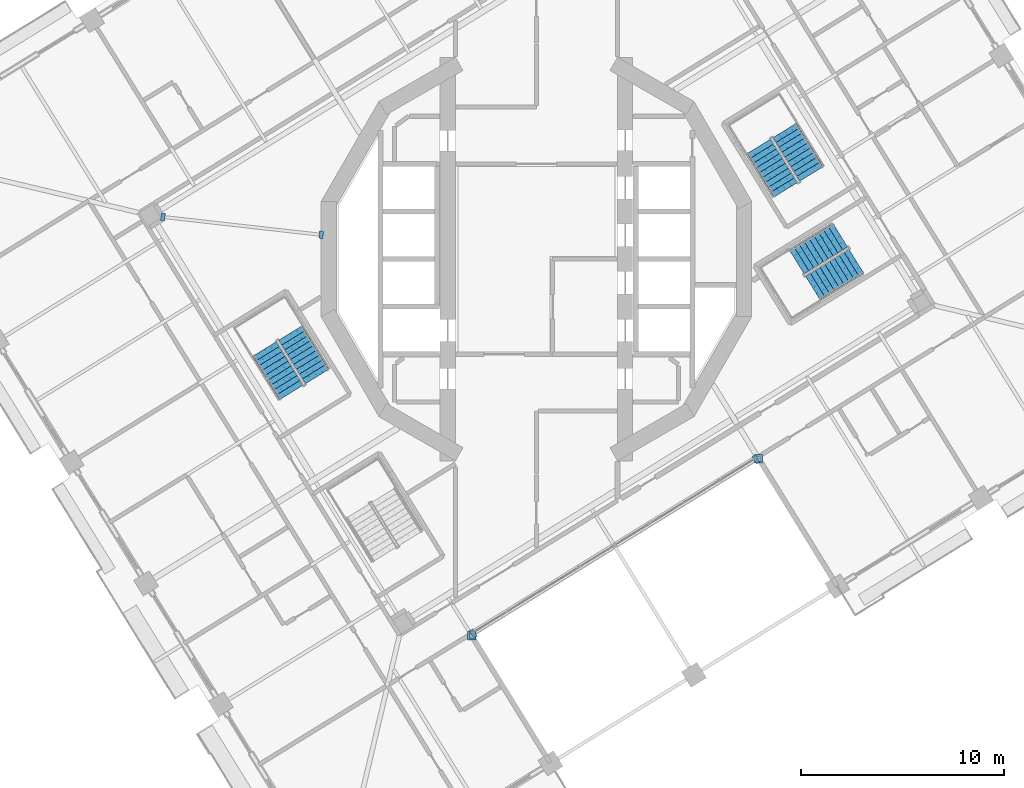
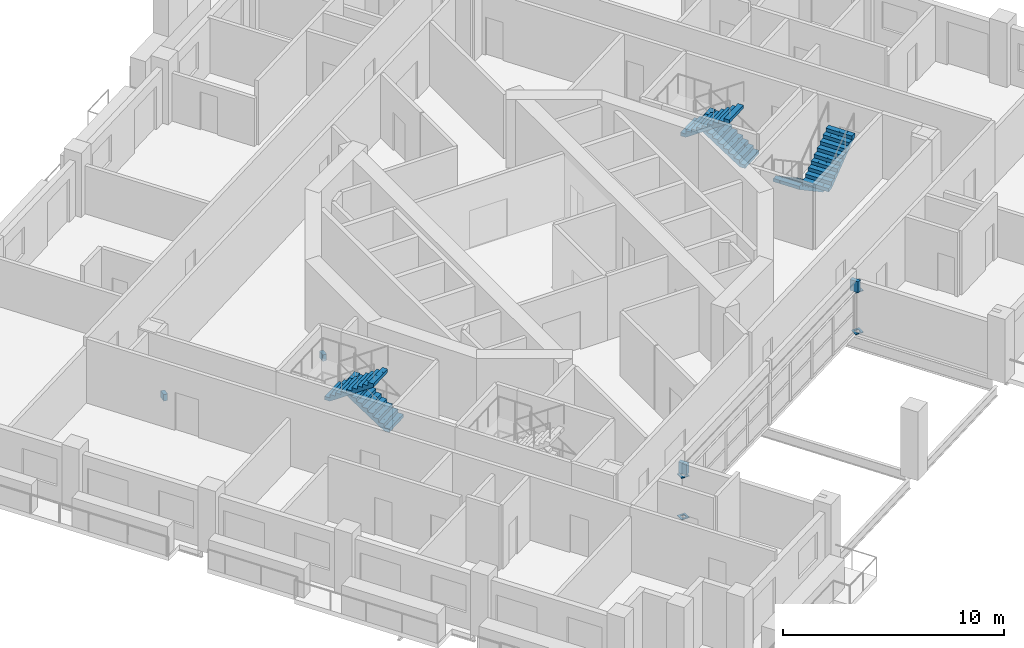
# One storey, part 15 of 22: 8 discrete accessories, 6 stair flights, 3 elements without a shape of their own.
"""IFC4 building model written with IfcOpenShell, lengths in metres."""

from ifc_helpers import new_model, si_unit, direction, frame, origin, place, context, subcontext, project, spatial, polyline, outline, extrude, material, layer, layer_set, type_object, element, aggregate, save


model = new_model("IFC4")

# Units and contexts
model_context = context("Model", 3, precision=1e-05, world=origin(), true_north=direction((0.0, 1.0)))
body_context = subcontext(model_context, "Body", "Model", "MODEL_VIEW")
ifc_project = project(units=[si_unit("LENGTHUNIT", "METRE"), si_unit("AREAUNIT", "SQUARE_METRE"), si_unit("VOLUMEUNIT", "CUBIC_METRE"), si_unit("PLANEANGLEUNIT", "RADIAN"), si_unit("MASSUNIT", "GRAM", prefix="KILO")], contexts=[model_context])

# Site, building, storey
site_placement = place(None, origin())
site = spatial("IfcSite", under=ifc_project, at=site_placement, CompositionType="ELEMENT")
building_placement = place(site_placement, origin())
building = spatial("IfcBuilding", under=site, at=building_placement, Name="Cantera Rosa Tower", CompositionType="ELEMENT")
storey_placement = place(building_placement, frame((0.0, 0.0, 174.199951171875)))
storey = spatial("IfcBuildingStorey", under=building, at=storey_placement, Name="L38", CompositionType="ELEMENT", Elevation=174.199951171875)

# Stair, stair flights
ifc_material_1 = material(Name="Concrete C35/45", Category="concrete")
stair_type = type_object("IfcStairType", Name="EXIT STAIR 1350 DOGLEG", PredefinedType="HALF_TURN_STAIR", material=ifc_material_1)
stair_1_placement = place(storey_placement, origin())
stair_1 = element("IfcStair", 1, at=stair_1_placement, inside=storey, type_object=stair_type, Name="L38 ST-31", PredefinedType="HALF_TURN_STAIR")
ifc_material_2 = material(Name="Concrete C35/45", Category="concrete")
stair_flight_type = type_object("IfcStairFlightType", Name="STAIR FLIGHT 1350 R20x190", PredefinedType="STRAIGHT", material=ifc_material_2)
stair_flight_1_placement = place(storey_placement, frame((13.5732421875, 4.2021484375, 0.0), z_axis=(0.0, 0.0, 1.0), x_axis=(-0.524976585286, 0.851116669383, 0.0)))
stair_flight_1 = element("IfcStairFlight", 2, at=stair_flight_1_placement, type_object=stair_flight_type, Name="ST-31 flight 1", NumberOfRisers=10, NumberOfTreads=9, PredefinedType="STRAIGHT", RiserHeight=0.19, TreadLength=0.28, context=body_context, shape_type="SweptSolid", body=[
    extrude(outline(polyline([(0.0, 0.0), (0.0, 0.18994140625), (0.280029296875, 0.18994140625), (0.280029296875, 0.3798828125), (0.56005859375, 0.3798828125), (0.56005859375, 0.570068359375), (0.840087890625, 0.570068359375), (0.840087890625, 0.760009765625), (1.1201171875, 0.760009765625), (1.1201171875, 0.949951171875), (1.39990234375, 0.949951171875), (1.39990234375, 1.139892578125), (1.679931640625, 1.139892578125), (1.679931640625, 1.330078125), (1.9599609375, 1.330078125), (1.9599609375, 1.52001953125), (2.239990234375, 1.52001953125), (2.239990234375, 1.7099609375), (2.52001953125, 1.7099609375), (2.52001953125, 1.89990234375), (2.52001953125, 1.52880859375), (0.266845703125, 0.0), (0.0, 0.0)])), frame((0.0, 0.675048828125, 0.0), z_axis=(0.0, -1.0, 0.0), x_axis=(1.0, 0.0, 0.0)), (0.0, 0.0, 1.0), 0.3359375),
    extrude(outline(polyline([(0.0, 0.0), (0.0, 0.18994140625), (0.280029296875, 0.18994140625), (0.280029296875, 0.3798828125), (0.56005859375, 0.3798828125), (0.56005859375, 0.570068359375), (0.840087890625, 0.570068359375), (0.840087890625, 0.760009765625), (1.1201171875, 0.760009765625), (1.1201171875, 0.949951171875), (1.39990234375, 0.949951171875), (1.39990234375, 1.139892578125), (1.679931640625, 1.139892578125), (1.679931640625, 1.330078125), (1.9599609375, 1.330078125), (1.9599609375, 1.52001953125), (2.239990234375, 1.52001953125), (2.239990234375, 1.7099609375), (2.52001953125, 1.7099609375), (2.52001953125, 1.89990234375), (2.52001953125, 1.52880859375), (0.266845703125, 0.0), (0.0, 0.0)])), frame((0.0, 0.337158203125, 0.0), z_axis=(0.0, -1.0, 0.0), x_axis=(1.0, 0.0, 0.0)), (0.0, 0.0, 1.0), 0.3359375),
    extrude(outline(polyline([(0.0, 0.0), (0.0, 0.18994140625), (0.280029296875, 0.18994140625), (0.280029296875, 0.3798828125), (0.56005859375, 0.3798828125), (0.56005859375, 0.570068359375), (0.840087890625, 0.570068359375), (0.840087890625, 0.760009765625), (1.1201171875, 0.760009765625), (1.1201171875, 0.949951171875), (1.39990234375, 0.949951171875), (1.39990234375, 1.139892578125), (1.679931640625, 1.139892578125), (1.679931640625, 1.330078125), (1.9599609375, 1.330078125), (1.9599609375, 1.52001953125), (2.239990234375, 1.52001953125), (2.239990234375, 1.7099609375), (2.52001953125, 1.7099609375), (2.52001953125, 1.89990234375), (2.52001953125, 1.52880859375), (0.266845703125, 0.0), (0.0, 0.0)])), frame((0.0, -0.000732421875, 0.0), z_axis=(0.0, -1.0, 0.0), x_axis=(1.0, 0.0, 0.0)), (0.0, 0.0, 1.0), 0.3359375),
    extrude(outline(polyline([(0.0, 0.0), (0.0, 0.18994140625), (0.280029296875, 0.18994140625), (0.280029296875, 0.3798828125), (0.56005859375, 0.3798828125), (0.56005859375, 0.570068359375), (0.840087890625, 0.570068359375), (0.840087890625, 0.760009765625), (1.1201171875, 0.760009765625), (1.1201171875, 0.949951171875), (1.39990234375, 0.949951171875), (1.39990234375, 1.139892578125), (1.679931640625, 1.139892578125), (1.679931640625, 1.330078125), (1.9599609375, 1.330078125), (1.9599609375, 1.52001953125), (2.239990234375, 1.52001953125), (2.239990234375, 1.7099609375), (2.52001953125, 1.7099609375), (2.52001953125, 1.89990234375), (2.52001953125, 1.52880859375), (0.266845703125, 0.0), (0.0, 0.0)])), frame((0.0, -0.338623046875, 0.0), z_axis=(0.0, -1.0, 0.0), x_axis=(1.0, 0.0, 0.0)), (0.0, 0.0, 1.0), 0.3359375),
])
stair_flight_2_placement = place(storey_placement, frame((10.9736328125, 5.5595703125, 1.900146484375), z_axis=(0.0, 0.0, 1.0), x_axis=(0.524976585286, -0.851116669383, 0.0)))
stair_flight_2 = element("IfcStairFlight", 3, at=stair_flight_2_placement, type_object=stair_flight_type, Name="ST-31 flight 2", NumberOfRisers=10, NumberOfTreads=9, PredefinedType="STRAIGHT", RiserHeight=0.19, TreadLength=0.28, context=body_context, shape_type="SweptSolid", body=[
    extrude(outline(polyline([(0.0, 0.0), (0.0, 0.18994140625), (0.280029296875, 0.18994140625), (0.280029296875, 0.3798828125), (0.56005859375, 0.3798828125), (0.56005859375, 0.570068359375), (0.840087890625, 0.570068359375), (0.840087890625, 0.760009765625), (1.1201171875, 0.760009765625), (1.1201171875, 0.949951171875), (1.39990234375, 0.949951171875), (1.39990234375, 1.139892578125), (1.679931640625, 1.139892578125), (1.679931640625, 1.330078125), (1.9599609375, 1.330078125), (1.9599609375, 1.52001953125), (2.239990234375, 1.52001953125), (2.239990234375, 1.7099609375), (2.52001953125, 1.7099609375), (2.52001953125, 1.89990234375), (2.52001953125, 1.52880859375), (0.266845703125, 0.0), (0.0, 0.0)])), frame((0.0, 0.675048828125, 0.0), z_axis=(0.0, -1.0, 0.0), x_axis=(1.0, 0.0, 0.0)), (0.0, 0.0, 1.0), 0.3359375),
    extrude(outline(polyline([(0.0, 0.0), (0.0, 0.18994140625), (0.280029296875, 0.18994140625), (0.280029296875, 0.3798828125), (0.56005859375, 0.3798828125), (0.56005859375, 0.570068359375), (0.840087890625, 0.570068359375), (0.840087890625, 0.760009765625), (1.1201171875, 0.760009765625), (1.1201171875, 0.949951171875), (1.39990234375, 0.949951171875), (1.39990234375, 1.139892578125), (1.679931640625, 1.139892578125), (1.679931640625, 1.330078125), (1.9599609375, 1.330078125), (1.9599609375, 1.52001953125), (2.239990234375, 1.52001953125), (2.239990234375, 1.7099609375), (2.52001953125, 1.7099609375), (2.52001953125, 1.89990234375), (2.52001953125, 1.52880859375), (0.266845703125, 0.0), (0.0, 0.0)])), frame((0.0, 0.337158203125, 0.0), z_axis=(0.0, -1.0, 0.0), x_axis=(1.0, 0.0, 0.0)), (0.0, 0.0, 1.0), 0.3359375),
    extrude(outline(polyline([(0.0, 0.0), (0.0, 0.18994140625), (0.280029296875, 0.18994140625), (0.280029296875, 0.3798828125), (0.56005859375, 0.3798828125), (0.56005859375, 0.570068359375), (0.840087890625, 0.570068359375), (0.840087890625, 0.760009765625), (1.1201171875, 0.760009765625), (1.1201171875, 0.949951171875), (1.39990234375, 0.949951171875), (1.39990234375, 1.139892578125), (1.679931640625, 1.139892578125), (1.679931640625, 1.330078125), (1.9599609375, 1.330078125), (1.9599609375, 1.52001953125), (2.239990234375, 1.52001953125), (2.239990234375, 1.7099609375), (2.52001953125, 1.7099609375), (2.52001953125, 1.89990234375), (2.52001953125, 1.52880859375), (0.266845703125, 0.0), (0.0, 0.0)])), frame((0.0, -0.000732421875, 0.0), z_axis=(0.0, -1.0, 0.0), x_axis=(1.0, 0.0, 0.0)), (0.0, 0.0, 1.0), 0.3359375),
    extrude(outline(polyline([(0.0, 0.0), (0.0, 0.18994140625), (0.280029296875, 0.18994140625), (0.280029296875, 0.3798828125), (0.56005859375, 0.3798828125), (0.56005859375, 0.570068359375), (0.840087890625, 0.570068359375), (0.840087890625, 0.760009765625), (1.1201171875, 0.760009765625), (1.1201171875, 0.949951171875), (1.39990234375, 0.949951171875), (1.39990234375, 1.139892578125), (1.679931640625, 1.139892578125), (1.679931640625, 1.330078125), (1.9599609375, 1.330078125), (1.9599609375, 1.52001953125), (2.239990234375, 1.52001953125), (2.239990234375, 1.7099609375), (2.52001953125, 1.7099609375), (2.52001953125, 1.89990234375), (2.52001953125, 1.52880859375), (0.266845703125, 0.0), (0.0, 0.0)])), frame((0.0, -0.338623046875, 0.0), z_axis=(0.0, -1.0, 0.0), x_axis=(1.0, 0.0, 0.0)), (0.0, 0.0, 1.0), 0.3359375),
])
aggregate(stair_1, [stair_flight_1, stair_flight_2])

stair_2_placement = place(storey_placement, origin())
stair_2 = element("IfcStair", 4, at=stair_2_placement, inside=storey, type_object=stair_type, Name="L38 ST-32", PredefinedType="HALF_TURN_STAIR")
stair_flight_3_placement = place(storey_placement, frame((-10.82666015625, -5.7978515625, 0.0), z_axis=(0.0, 0.0, 1.0), x_axis=(-0.524976585286, 0.851116669383, 0.0)))
stair_flight_3 = element("IfcStairFlight", 5, at=stair_flight_3_placement, type_object=stair_flight_type, Name="ST-32 flight 1", NumberOfRisers=10, NumberOfTreads=9, PredefinedType="STRAIGHT", RiserHeight=0.19, TreadLength=0.28, context=body_context, shape_type="SweptSolid", body=[
    extrude(outline(polyline([(0.0, 0.0), (0.0, 0.18994140625), (0.280029296875, 0.18994140625), (0.280029296875, 0.3798828125), (0.56005859375, 0.3798828125), (0.56005859375, 0.570068359375), (0.840087890625, 0.570068359375), (0.840087890625, 0.760009765625), (1.1201171875, 0.760009765625), (1.1201171875, 0.949951171875), (1.39990234375, 0.949951171875), (1.39990234375, 1.139892578125), (1.679931640625, 1.139892578125), (1.679931640625, 1.330078125), (1.9599609375, 1.330078125), (1.9599609375, 1.52001953125), (2.239990234375, 1.52001953125), (2.239990234375, 1.7099609375), (2.52001953125, 1.7099609375), (2.52001953125, 1.89990234375), (2.52001953125, 1.52880859375), (0.266845703125, 0.0), (0.0, 0.0)])), frame((0.0, 0.675048828125, 0.0), z_axis=(0.0, -1.0, 0.0), x_axis=(1.0, 0.0, 0.0)), (0.0, 0.0, 1.0), 0.3359375),
    extrude(outline(polyline([(0.0, 0.0), (0.0, 0.18994140625), (0.280029296875, 0.18994140625), (0.280029296875, 0.3798828125), (0.56005859375, 0.3798828125), (0.56005859375, 0.570068359375), (0.840087890625, 0.570068359375), (0.840087890625, 0.760009765625), (1.1201171875, 0.760009765625), (1.1201171875, 0.949951171875), (1.39990234375, 0.949951171875), (1.39990234375, 1.139892578125), (1.679931640625, 1.139892578125), (1.679931640625, 1.330078125), (1.9599609375, 1.330078125), (1.9599609375, 1.52001953125), (2.239990234375, 1.52001953125), (2.239990234375, 1.7099609375), (2.52001953125, 1.7099609375), (2.52001953125, 1.89990234375), (2.52001953125, 1.52880859375), (0.266845703125, 0.0), (0.0, 0.0)])), frame((0.0, 0.337158203125, 0.0), z_axis=(0.0, -1.0, 0.0), x_axis=(1.0, 0.0, 0.0)), (0.0, 0.0, 1.0), 0.3359375),
    extrude(outline(polyline([(0.0, 0.0), (0.0, 0.18994140625), (0.280029296875, 0.18994140625), (0.280029296875, 0.3798828125), (0.56005859375, 0.3798828125), (0.56005859375, 0.570068359375), (0.840087890625, 0.570068359375), (0.840087890625, 0.760009765625), (1.1201171875, 0.760009765625), (1.1201171875, 0.949951171875), (1.39990234375, 0.949951171875), (1.39990234375, 1.139892578125), (1.679931640625, 1.139892578125), (1.679931640625, 1.330078125), (1.9599609375, 1.330078125), (1.9599609375, 1.52001953125), (2.239990234375, 1.52001953125), (2.239990234375, 1.7099609375), (2.52001953125, 1.7099609375), (2.52001953125, 1.89990234375), (2.52001953125, 1.52880859375), (0.266845703125, 0.0), (0.0, 0.0)])), frame((0.0, -0.000732421875, 0.0), z_axis=(0.0, -1.0, 0.0), x_axis=(1.0, 0.0, 0.0)), (0.0, 0.0, 1.0), 0.3359375),
    extrude(outline(polyline([(0.0, 0.0), (0.0, 0.18994140625), (0.280029296875, 0.18994140625), (0.280029296875, 0.3798828125), (0.56005859375, 0.3798828125), (0.56005859375, 0.570068359375), (0.840087890625, 0.570068359375), (0.840087890625, 0.760009765625), (1.1201171875, 0.760009765625), (1.1201171875, 0.949951171875), (1.39990234375, 0.949951171875), (1.39990234375, 1.139892578125), (1.679931640625, 1.139892578125), (1.679931640625, 1.330078125), (1.9599609375, 1.330078125), (1.9599609375, 1.52001953125), (2.239990234375, 1.52001953125), (2.239990234375, 1.7099609375), (2.52001953125, 1.7099609375), (2.52001953125, 1.89990234375), (2.52001953125, 1.52880859375), (0.266845703125, 0.0), (0.0, 0.0)])), frame((0.0, -0.338623046875, 0.0), z_axis=(0.0, -1.0, 0.0), x_axis=(1.0, 0.0, 0.0)), (0.0, 0.0, 1.0), 0.3359375),
])
stair_flight_4_placement = place(storey_placement, frame((-13.42626953125, -4.4404296875, 1.900146484375), z_axis=(0.0, 0.0, 1.0), x_axis=(0.524976585286, -0.851116669383, 0.0)))
stair_flight_4 = element("IfcStairFlight", 6, at=stair_flight_4_placement, type_object=stair_flight_type, Name="ST-32 flight 2", NumberOfRisers=10, NumberOfTreads=9, PredefinedType="STRAIGHT", RiserHeight=0.19, TreadLength=0.28, context=body_context, shape_type="SweptSolid", body=[
    extrude(outline(polyline([(0.0, 0.0), (0.0, 0.18994140625), (0.280029296875, 0.18994140625), (0.280029296875, 0.3798828125), (0.56005859375, 0.3798828125), (0.56005859375, 0.570068359375), (0.840087890625, 0.570068359375), (0.840087890625, 0.760009765625), (1.1201171875, 0.760009765625), (1.1201171875, 0.949951171875), (1.39990234375, 0.949951171875), (1.39990234375, 1.139892578125), (1.679931640625, 1.139892578125), (1.679931640625, 1.330078125), (1.9599609375, 1.330078125), (1.9599609375, 1.52001953125), (2.239990234375, 1.52001953125), (2.239990234375, 1.7099609375), (2.52001953125, 1.7099609375), (2.52001953125, 1.89990234375), (2.52001953125, 1.52880859375), (0.266845703125, 0.0), (0.0, 0.0)])), frame((0.0, 0.675048828125, 0.0), z_axis=(0.0, -1.0, 0.0), x_axis=(1.0, 0.0, 0.0)), (0.0, 0.0, 1.0), 0.3359375),
    extrude(outline(polyline([(0.0, 0.0), (0.0, 0.18994140625), (0.280029296875, 0.18994140625), (0.280029296875, 0.3798828125), (0.56005859375, 0.3798828125), (0.56005859375, 0.570068359375), (0.840087890625, 0.570068359375), (0.840087890625, 0.760009765625), (1.1201171875, 0.760009765625), (1.1201171875, 0.949951171875), (1.39990234375, 0.949951171875), (1.39990234375, 1.139892578125), (1.679931640625, 1.139892578125), (1.679931640625, 1.330078125), (1.9599609375, 1.330078125), (1.9599609375, 1.52001953125), (2.239990234375, 1.52001953125), (2.239990234375, 1.7099609375), (2.52001953125, 1.7099609375), (2.52001953125, 1.89990234375), (2.52001953125, 1.52880859375), (0.266845703125, 0.0), (0.0, 0.0)])), frame((0.0, 0.337158203125, 0.0), z_axis=(0.0, -1.0, 0.0), x_axis=(1.0, 0.0, 0.0)), (0.0, 0.0, 1.0), 0.3359375),
    extrude(outline(polyline([(0.0, 0.0), (0.0, 0.18994140625), (0.280029296875, 0.18994140625), (0.280029296875, 0.3798828125), (0.56005859375, 0.3798828125), (0.56005859375, 0.570068359375), (0.840087890625, 0.570068359375), (0.840087890625, 0.760009765625), (1.1201171875, 0.760009765625), (1.1201171875, 0.949951171875), (1.39990234375, 0.949951171875), (1.39990234375, 1.139892578125), (1.679931640625, 1.139892578125), (1.679931640625, 1.330078125), (1.9599609375, 1.330078125), (1.9599609375, 1.52001953125), (2.239990234375, 1.52001953125), (2.239990234375, 1.7099609375), (2.52001953125, 1.7099609375), (2.52001953125, 1.89990234375), (2.52001953125, 1.52880859375), (0.266845703125, 0.0), (0.0, 0.0)])), frame((0.0, -0.000732421875, 0.0), z_axis=(0.0, -1.0, 0.0), x_axis=(1.0, 0.0, 0.0)), (0.0, 0.0, 1.0), 0.3359375),
    extrude(outline(polyline([(0.0, 0.0), (0.0, 0.18994140625), (0.280029296875, 0.18994140625), (0.280029296875, 0.3798828125), (0.56005859375, 0.3798828125), (0.56005859375, 0.570068359375), (0.840087890625, 0.570068359375), (0.840087890625, 0.760009765625), (1.1201171875, 0.760009765625), (1.1201171875, 0.949951171875), (1.39990234375, 0.949951171875), (1.39990234375, 1.139892578125), (1.679931640625, 1.139892578125), (1.679931640625, 1.330078125), (1.9599609375, 1.330078125), (1.9599609375, 1.52001953125), (2.239990234375, 1.52001953125), (2.239990234375, 1.7099609375), (2.52001953125, 1.7099609375), (2.52001953125, 1.89990234375), (2.52001953125, 1.52880859375), (0.266845703125, 0.0), (0.0, 0.0)])), frame((0.0, -0.338623046875, 0.0), z_axis=(0.0, -1.0, 0.0), x_axis=(1.0, 0.0, 0.0)), (0.0, 0.0, 1.0), 0.3359375),
])
aggregate(stair_2, [stair_flight_3, stair_flight_4])

stair_3_placement = place(storey_placement, origin())
stair_3 = element("IfcStair", 7, at=stair_3_placement, inside=storey, type_object=stair_type, Name="L38 ST-34", PredefinedType="HALF_TURN_STAIR")
stair_flight_5_placement = place(storey_placement, frame((14.997802734375, 1.17333984375, 0.0), z_axis=(0.0, 0.0, 1.0), x_axis=(-0.851116669383, -0.524976585286, 0.0)))
stair_flight_5 = element("IfcStairFlight", 8, at=stair_flight_5_placement, type_object=stair_flight_type, Name="ST-34 flight 1", NumberOfRisers=10, NumberOfTreads=9, PredefinedType="STRAIGHT", RiserHeight=0.19, TreadLength=0.28, context=body_context, shape_type="SweptSolid", body=[
    extrude(outline(polyline([(0.0, 0.0), (0.0, 0.18994140625), (0.280029296875, 0.18994140625), (0.280029296875, 0.3798828125), (0.56005859375, 0.3798828125), (0.56005859375, 0.570068359375), (0.840087890625, 0.570068359375), (0.840087890625, 0.760009765625), (1.1201171875, 0.760009765625), (1.1201171875, 0.949951171875), (1.39990234375, 0.949951171875), (1.39990234375, 1.139892578125), (1.679931640625, 1.139892578125), (1.679931640625, 1.330078125), (1.9599609375, 1.330078125), (1.9599609375, 1.52001953125), (2.239990234375, 1.52001953125), (2.239990234375, 1.7099609375), (2.52001953125, 1.7099609375), (2.52001953125, 1.89990234375), (2.52001953125, 1.52880859375), (0.266845703125, 0.0), (0.0, 0.0)])), frame((0.0, 0.675048828125, 0.0), z_axis=(0.0, -1.0, 0.0), x_axis=(1.0, 0.0, 0.0)), (0.0, 0.0, 1.0), 0.3359375),
    extrude(outline(polyline([(0.0, 0.0), (0.0, 0.18994140625), (0.280029296875, 0.18994140625), (0.280029296875, 0.3798828125), (0.56005859375, 0.3798828125), (0.56005859375, 0.570068359375), (0.840087890625, 0.570068359375), (0.840087890625, 0.760009765625), (1.1201171875, 0.760009765625), (1.1201171875, 0.949951171875), (1.39990234375, 0.949951171875), (1.39990234375, 1.139892578125), (1.679931640625, 1.139892578125), (1.679931640625, 1.330078125), (1.9599609375, 1.330078125), (1.9599609375, 1.52001953125), (2.239990234375, 1.52001953125), (2.239990234375, 1.7099609375), (2.52001953125, 1.7099609375), (2.52001953125, 1.89990234375), (2.52001953125, 1.52880859375), (0.266845703125, 0.0), (0.0, 0.0)])), frame((0.0, 0.337158203125, 0.0), z_axis=(0.0, -1.0, 0.0), x_axis=(1.0, 0.0, 0.0)), (0.0, 0.0, 1.0), 0.3359375),
    extrude(outline(polyline([(0.0, 0.0), (0.0, 0.18994140625), (0.280029296875, 0.18994140625), (0.280029296875, 0.3798828125), (0.56005859375, 0.3798828125), (0.56005859375, 0.570068359375), (0.840087890625, 0.570068359375), (0.840087890625, 0.760009765625), (1.1201171875, 0.760009765625), (1.1201171875, 0.949951171875), (1.39990234375, 0.949951171875), (1.39990234375, 1.139892578125), (1.679931640625, 1.139892578125), (1.679931640625, 1.330078125), (1.9599609375, 1.330078125), (1.9599609375, 1.52001953125), (2.239990234375, 1.52001953125), (2.239990234375, 1.7099609375), (2.52001953125, 1.7099609375), (2.52001953125, 1.89990234375), (2.52001953125, 1.52880859375), (0.266845703125, 0.0), (0.0, 0.0)])), frame((0.0, -0.000732421875, 0.0), z_axis=(0.0, -1.0, 0.0), x_axis=(1.0, 0.0, 0.0)), (0.0, 0.0, 1.0), 0.3359375),
    extrude(outline(polyline([(0.0, 0.0), (0.0, 0.18994140625), (0.280029296875, 0.18994140625), (0.280029296875, 0.3798828125), (0.56005859375, 0.3798828125), (0.56005859375, 0.570068359375), (0.840087890625, 0.570068359375), (0.840087890625, 0.760009765625), (1.1201171875, 0.760009765625), (1.1201171875, 0.949951171875), (1.39990234375, 0.949951171875), (1.39990234375, 1.139892578125), (1.679931640625, 1.139892578125), (1.679931640625, 1.330078125), (1.9599609375, 1.330078125), (1.9599609375, 1.52001953125), (2.239990234375, 1.52001953125), (2.239990234375, 1.7099609375), (2.52001953125, 1.7099609375), (2.52001953125, 1.89990234375), (2.52001953125, 1.52880859375), (0.266845703125, 0.0), (0.0, 0.0)])), frame((0.0, -0.338623046875, 0.0), z_axis=(0.0, -1.0, 0.0), x_axis=(1.0, 0.0, 0.0)), (0.0, 0.0, 1.0), 0.3359375),
])
stair_flight_6_placement = place(storey_placement, frame((13.640380859375, -1.42626953125, 1.900146484375), z_axis=(0.0, 0.0, 1.0), x_axis=(0.851116669383, 0.524976585286, 0.0)))
stair_flight_6 = element("IfcStairFlight", 9, at=stair_flight_6_placement, type_object=stair_flight_type, Name="ST-34 flight 2", NumberOfRisers=10, NumberOfTreads=9, PredefinedType="STRAIGHT", RiserHeight=0.19, TreadLength=0.28, context=body_context, shape_type="SweptSolid", body=[
    extrude(outline(polyline([(0.0, 0.0), (0.0, 0.18994140625), (0.280029296875, 0.18994140625), (0.280029296875, 0.3798828125), (0.56005859375, 0.3798828125), (0.56005859375, 0.570068359375), (0.840087890625, 0.570068359375), (0.840087890625, 0.760009765625), (1.1201171875, 0.760009765625), (1.1201171875, 0.949951171875), (1.39990234375, 0.949951171875), (1.39990234375, 1.139892578125), (1.679931640625, 1.139892578125), (1.679931640625, 1.330078125), (1.9599609375, 1.330078125), (1.9599609375, 1.52001953125), (2.239990234375, 1.52001953125), (2.239990234375, 1.7099609375), (2.52001953125, 1.7099609375), (2.52001953125, 1.89990234375), (2.52001953125, 1.52880859375), (0.266845703125, 0.0), (0.0, 0.0)])), frame((0.0, 0.675048828125, 0.0), z_axis=(0.0, -1.0, 0.0), x_axis=(1.0, 0.0, 0.0)), (0.0, 0.0, 1.0), 0.3359375),
    extrude(outline(polyline([(0.0, 0.0), (0.0, 0.18994140625), (0.280029296875, 0.18994140625), (0.280029296875, 0.3798828125), (0.56005859375, 0.3798828125), (0.56005859375, 0.570068359375), (0.840087890625, 0.570068359375), (0.840087890625, 0.760009765625), (1.1201171875, 0.760009765625), (1.1201171875, 0.949951171875), (1.39990234375, 0.949951171875), (1.39990234375, 1.139892578125), (1.679931640625, 1.139892578125), (1.679931640625, 1.330078125), (1.9599609375, 1.330078125), (1.9599609375, 1.52001953125), (2.239990234375, 1.52001953125), (2.239990234375, 1.7099609375), (2.52001953125, 1.7099609375), (2.52001953125, 1.89990234375), (2.52001953125, 1.52880859375), (0.266845703125, 0.0), (0.0, 0.0)])), frame((0.0, 0.337158203125, 0.0), z_axis=(0.0, -1.0, 0.0), x_axis=(1.0, 0.0, 0.0)), (0.0, 0.0, 1.0), 0.3359375),
    extrude(outline(polyline([(0.0, 0.0), (0.0, 0.18994140625), (0.280029296875, 0.18994140625), (0.280029296875, 0.3798828125), (0.56005859375, 0.3798828125), (0.56005859375, 0.570068359375), (0.840087890625, 0.570068359375), (0.840087890625, 0.760009765625), (1.1201171875, 0.760009765625), (1.1201171875, 0.949951171875), (1.39990234375, 0.949951171875), (1.39990234375, 1.139892578125), (1.679931640625, 1.139892578125), (1.679931640625, 1.330078125), (1.9599609375, 1.330078125), (1.9599609375, 1.52001953125), (2.239990234375, 1.52001953125), (2.239990234375, 1.7099609375), (2.52001953125, 1.7099609375), (2.52001953125, 1.89990234375), (2.52001953125, 1.52880859375), (0.266845703125, 0.0), (0.0, 0.0)])), frame((0.0, -0.000732421875, 0.0), z_axis=(0.0, -1.0, 0.0), x_axis=(1.0, 0.0, 0.0)), (0.0, 0.0, 1.0), 0.3359375),
    extrude(outline(polyline([(0.0, 0.0), (0.0, 0.18994140625), (0.280029296875, 0.18994140625), (0.280029296875, 0.3798828125), (0.56005859375, 0.3798828125), (0.56005859375, 0.570068359375), (0.840087890625, 0.570068359375), (0.840087890625, 0.760009765625), (1.1201171875, 0.760009765625), (1.1201171875, 0.949951171875), (1.39990234375, 0.949951171875), (1.39990234375, 1.139892578125), (1.679931640625, 1.139892578125), (1.679931640625, 1.330078125), (1.9599609375, 1.330078125), (1.9599609375, 1.52001953125), (2.239990234375, 1.52001953125), (2.239990234375, 1.7099609375), (2.52001953125, 1.7099609375), (2.52001953125, 1.89990234375), (2.52001953125, 1.52880859375), (0.266845703125, 0.0), (0.0, 0.0)])), frame((0.0, -0.338623046875, 0.0), z_axis=(0.0, -1.0, 0.0), x_axis=(1.0, 0.0, 0.0)), (0.0, 0.0, 1.0), 0.3359375),
])
aggregate(stair_3, [stair_flight_5, stair_flight_6])

# Discrete accessories
ifc_material_3 = material(Name="Steel ASTM A992 (Fy 345 MPa)", Category="steel")
ifc_layer = layer(ifc_material_3, 0.0400390625)
ifc_layer_set = layer_set([ifc_layer], Name="STEEL BEARING PLATE 40")
discrete_accessory_type = type_object("IfcDiscreteAccessoryType", Name="STEEL BEARING PLATE 40", PredefinedType="ANCHORPLATE", material=ifc_layer_set)
discrete_accessory_1_placement = place(storey_placement, frame((0.0, 0.0, -0.659912109375)))
element("IfcDiscreteAccessory", 10, at=discrete_accessory_1_placement, inside=storey, type_object=discrete_accessory_type, Name="BEARING PLATE PG-Z3-01 end 1 L38", PredefinedType="ANCHORPLATE", context=body_context, shape_type="SweptSolid", body=[
    extrude(outline(polyline([(-18.316650390625, 2.242919921875), (-18.515380859375, 2.265380859375), (-18.554931640625, 1.91357421875), (-18.356201171875, 1.89111328125), (-18.316650390625, 2.242919921875)])), origin(), (0.0, 0.0, 1.0), 0.35986328125),
])
discrete_accessory_2_placement = place(storey_placement, frame((0.0, 0.0, -0.659912109375)))
element("IfcDiscreteAccessory", 11, at=discrete_accessory_2_placement, inside=storey, type_object=discrete_accessory_type, Name="BEARING PLATE PG-Z3-01 end 2 L38", PredefinedType="ANCHORPLATE", context=body_context, shape_type="SweptSolid", body=[
    extrude(outline(polyline([(-10.744384765625, 1.033203125), (-10.545654296875, 1.0107421875), (-10.506103515625, 1.3623046875), (-10.70458984375, 1.384765625), (-10.744384765625, 1.033203125)])), origin(), (0.0, 0.0, 1.0), 0.35986328125),
])
for number, where, name in (
    (12, (0.0, 0.0, 0.0), "POST PLATE L38-1F"),
    (13, (0.0, 0.0, 2.300048828125), "POST PLATE L38-1T"),
):
    element("IfcDiscreteAccessory", number, at=place(storey_placement, frame(where)), inside=storey, type_object=discrete_accessory_type, Name=name, PredefinedType="ANCHORPLATE", context=body_context, shape_type="SweptSolid", body=[
        extrude(outline(polyline([(-3.3935546875, -18.794921875), (-2.993408203125, -18.794921875), (-2.993408203125, -18.39501953125), (-3.3935546875, -18.39501953125), (-3.3935546875, -18.794921875)]), holes=[polyline([(-3.29345703125, -18.695068359375), (-3.093505859375, -18.695068359375), (-3.093505859375, -18.4951171875), (-3.29345703125, -18.4951171875), (-3.29345703125, -18.695068359375)])]), origin(), (0.0, 0.0, 1.0), 0.0400390625),
    ])
for number, where, name in (
    (14, (0.0, 0.0, 0.0), "POST PLATE L38-2F"),
    (15, (0.0, 0.0, 2.300048828125), "POST PLATE L38-2T"),
):
    element("IfcDiscreteAccessory", number, at=place(storey_placement, frame(where)), inside=storey, type_object=discrete_accessory_type, Name=name, PredefinedType="ANCHORPLATE", context=body_context, shape_type="SweptSolid", body=[
        extrude(outline(polyline([(10.76904296875, -10.059326171875), (11.169189453125, -10.059326171875), (11.169189453125, -9.659423828125), (10.76904296875, -9.659423828125), (10.76904296875, -10.059326171875)]), holes=[polyline([(10.869140625, -9.95947265625), (11.069091796875, -9.95947265625), (11.069091796875, -9.759521484375), (10.869140625, -9.759521484375), (10.869140625, -9.95947265625)])]), origin(), (0.0, 0.0, 1.0), 0.0400390625),
    ])
discrete_accessory_3_placement = place(storey_placement, frame((0.0, 0.0, 2.340087890625)))
element("IfcDiscreteAccessory", 16, at=discrete_accessory_3_placement, inside=storey, type_object=discrete_accessory_type, Name="LINTEL PLATE L38-1", PredefinedType="ANCHORPLATE", context=body_context, shape_type="SweptSolid", body=[
    extrude(outline(polyline([(-3.140625, -18.252197265625), (-3.310791015625, -18.357177734375), (-3.086181640625, -18.721435546875), (-2.916015625, -18.616455078125), (-3.140625, -18.252197265625)])), origin(), (0.0, 0.0, 1.0), 0.60205078125),
])
discrete_accessory_4_placement = place(storey_placement, frame((0.0, 0.0, 2.340087890625)))
element("IfcDiscreteAccessory", 17, at=discrete_accessory_4_placement, inside=storey, type_object=discrete_accessory_type, Name="LINTEL PLATE L38-2", PredefinedType="ANCHORPLATE", context=body_context, shape_type="SweptSolid", body=[
    extrude(outline(polyline([(10.86376953125, -10.1171875), (11.033935546875, -10.01220703125), (10.80908203125, -9.647705078125), (10.638916015625, -9.752685546875), (10.86376953125, -10.1171875)])), origin(), (0.0, 0.0, 1.0), 0.60205078125),
])

save(model, "model.ifc")
